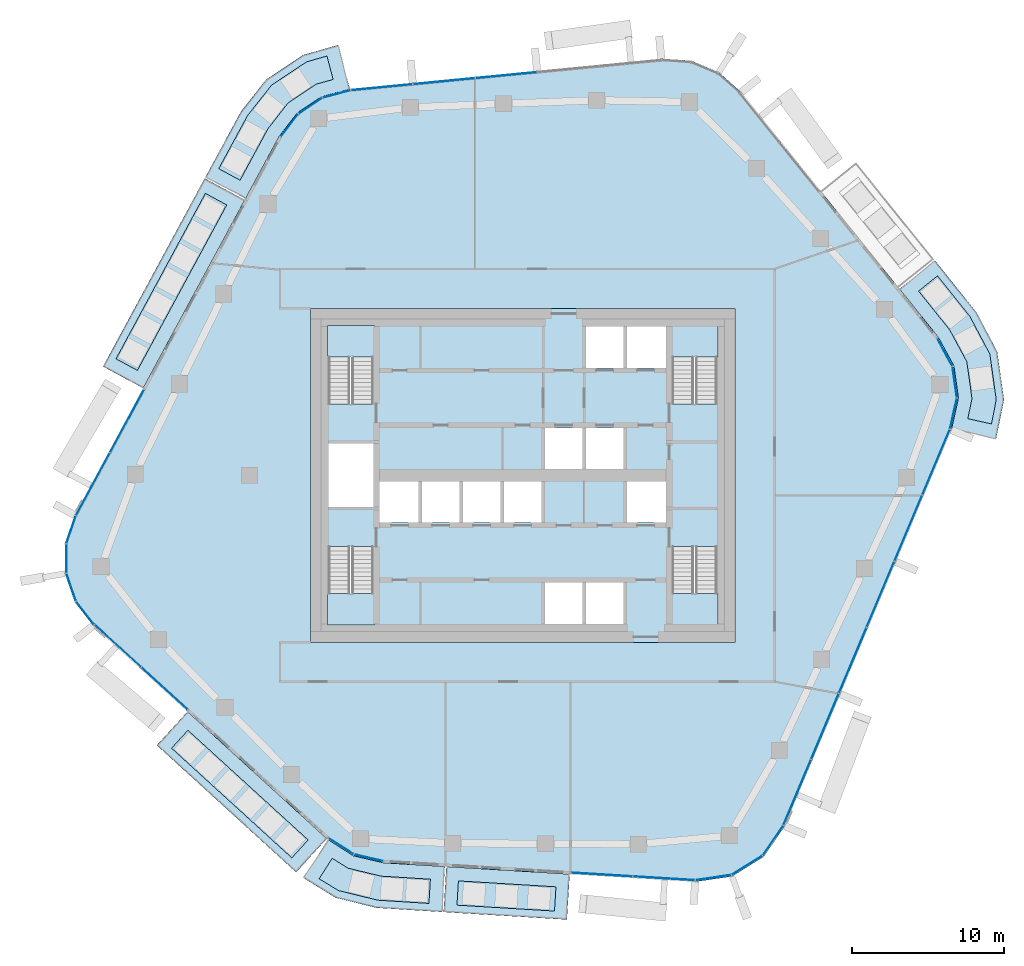
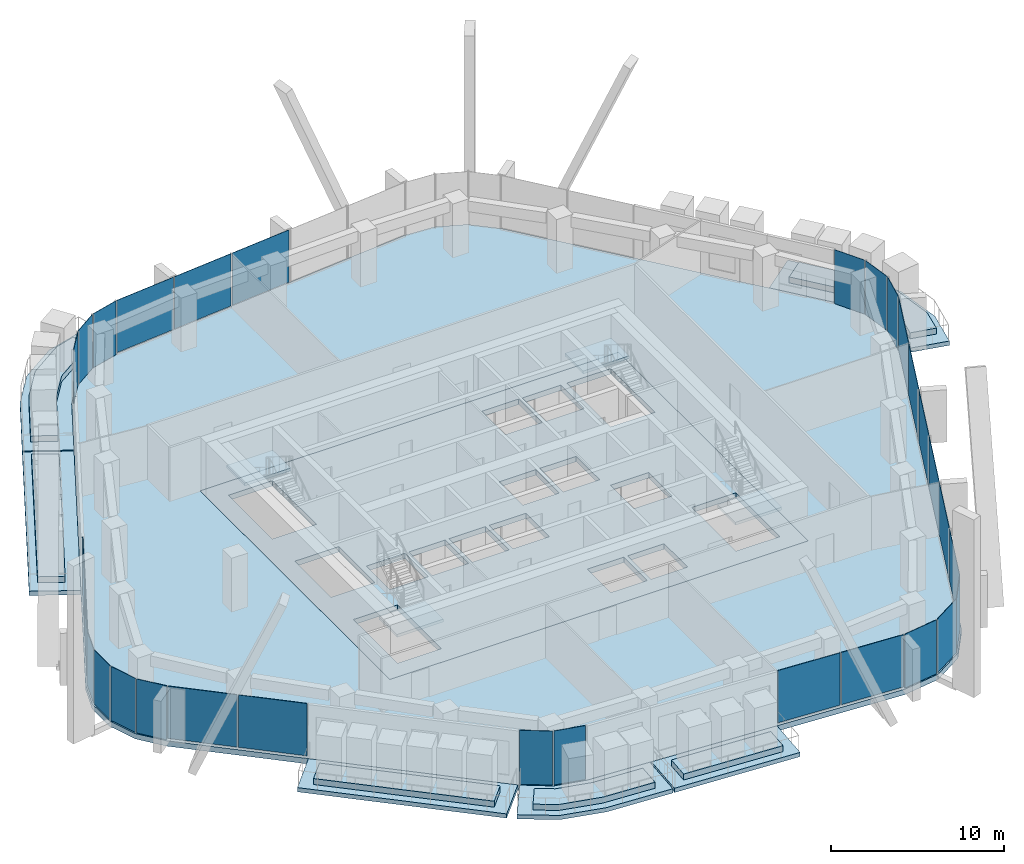
# One storey, part 10 of 20: 30 plates, 18 slabs, 14 elements without a shape of their own.
"""IFC4 building model written with IfcOpenShell, lengths in metres."""

from ifc_helpers import new_model, si_unit, direction, frame, origin, origin_2d, place, context, subcontext, project, spatial, polyline, rectangle, outline, extrude, material, layer, layer_set, type_object, element, aggregate, save


model = new_model("IFC4")

# Units and contexts
model_context = context("Model", 3, precision=1e-05, world=origin(), true_north=direction((0.0, 1.0)))
body_context = subcontext(model_context, "Body", "Model", "MODEL_VIEW")
ifc_project = project(units=[si_unit("LENGTHUNIT", "METRE"), si_unit("AREAUNIT", "SQUARE_METRE"), si_unit("VOLUMEUNIT", "CUBIC_METRE"), si_unit("PLANEANGLEUNIT", "RADIAN"), si_unit("MASSUNIT", "GRAM", prefix="KILO")], contexts=[model_context])

# Site, building, storey
site_placement = place(None, origin())
site = spatial("IfcSite", under=ifc_project, at=site_placement, CompositionType="ELEMENT")
building_placement = place(site_placement, origin())
building = spatial("IfcBuilding", under=site, at=building_placement, Name="Dongbaek Canopy Tower", CompositionType="ELEMENT")
storey_placement = place(building_placement, frame((0.0, 0.0, 253.800048828125)))
storey = spatial("IfcBuildingStorey", under=building, at=storey_placement, Name="L53", CompositionType="ELEMENT", Elevation=253.800048828125)

# Slabs
ifc_material_1 = material(Name="Concrete C40/50", Category="concrete")
ifc_layer_1 = layer(ifc_material_1, 0.300048828125)
ifc_layer_set_1 = layer_set([ifc_layer_1], Name="Balcony slab 300")
slab_type_1 = type_object("IfcSlabType", Name="Balcony slab 300", PredefinedType="FLOOR", material=ifc_layer_set_1)
slab_1_placement = place(storey_placement, frame((0.0, 0.0, -0.300048828125)))
element("IfcSlab", 1, at=slab_1_placement, inside=storey, type_object=slab_type_1, Name="Balcony L53 5", PredefinedType="FLOOR", context=body_context, shape_type="SweptSolid", body=[
    extrude(outline(polyline([(28.25634765625, 3.048583984375), (28.7099609375, 5.08837890625), (28.412109375, 7.20751953125), (27.389404296875, 9.087158203125), (24.8212890625, 12.279052734375), (27.15869140625, 14.15966796875), (29.8857421875, 10.7509765625), (31.2607421875, 8.148193359375), (31.707763671875, 4.9697265625), (31.184814453125, 2.397216796875), (28.25634765625, 3.048583984375)])), origin(), (0.0, 0.0, 1.0), 0.300048828125),
])
slab_2_placement = place(storey_placement, frame((0.0, 0.0, -0.300048828125)))
element("IfcSlab", 2, at=slab_2_placement, inside=storey, type_object=slab_type_1, Name="Balcony L53 2", PredefinedType="FLOOR", context=body_context, shape_type="SweptSolid", body=[
    extrude(outline(polyline([(-18.3154296875, 18.139892578125), (-25.010986328125, 5.742431640625), (-27.650634765625, 7.16796875), (-20.955078125, 19.5654296875), (-18.3154296875, 18.139892578125)])), origin(), (0.0, 0.0, 1.0), 0.300048828125),
])
slab_3_placement = place(storey_placement, frame((0.0, 0.0, -0.300048828125)))
element("IfcSlab", 3, at=slab_3_placement, inside=storey, type_object=slab_type_1, Name="Balcony L53 6", PredefinedType="FLOOR", context=body_context, shape_type="SweptSolid", body=[
    extrude(outline(polyline([(-11.39208984375, 25.45361328125), (-13.2275390625, 24.9658203125), (-14.851318359375, 23.887451171875), (-16.0439453125, 22.345703125), (-18.267822265625, 18.227783203125), (-20.907470703125, 19.653564453125), (-18.55859375, 23.981689453125), (-16.894775390625, 26.083984375), (-14.458740234375, 27.701416015625), (-12.16259765625, 28.35302734375), (-11.39208984375, 25.45361328125)])), origin(), (0.0, 0.0, 1.0), 0.300048828125),
])
slab_4_placement = place(storey_placement, frame((0.0, 0.0, -0.300048828125)))
element("IfcSlab", 4, at=slab_4_placement, inside=storey, type_object=slab_type_1, Name="Balcony L53 3", PredefinedType="FLOOR", context=body_context, shape_type="SweptSolid", body=[
    extrude(outline(polyline([(-22.089111328125, -15.569091796875), (-12.9111328125, -23.940185546875), (-14.9326171875, -26.15673828125), (-24.11083984375, -17.78564453125), (-22.089111328125, -15.569091796875)])), origin(), (0.0, 0.0, 1.0), 0.300048828125),
])
slab_5_placement = place(storey_placement, frame((0.0, 0.0, -0.300048828125)))
element("IfcSlab", 5, at=slab_5_placement, inside=storey, type_object=slab_type_1, Name="Balcony L53 4", PredefinedType="FLOOR", context=body_context, shape_type="SweptSolid", body=[
    extrude(outline(polyline([(-5.033203125, -25.782958984375), (3.091064453125, -26.277587890625), (2.908935546875, -29.27197265625), (-5.215576171875, -28.777587890625), (-5.033203125, -25.782958984375)])), origin(), (0.0, 0.0, 1.0), 0.300048828125),
])
slab_6_placement = place(storey_placement, frame((0.0, 0.0, -0.300048828125)))
element("IfcSlab", 6, at=slab_6_placement, inside=storey, type_object=slab_type_1, Name="Balcony L53 7", PredefinedType="FLOOR", context=body_context, shape_type="SweptSolid", body=[
    extrude(outline(polyline([(-12.83203125, -24.0009765625), (-11.16796875, -25.06689453125), (-9.1953125, -25.52978515625), (-5.133056640625, -25.777099609375), (-5.3154296875, -28.771484375), (-9.630615234375, -28.498046875), (-12.336669921875, -27.830078125), (-14.450439453125, -26.52685546875), (-12.83203125, -24.0009765625)])), origin(), (0.0, 0.0, 1.0), 0.300048828125),
])

# Curtain wall, plates
ifc_material_2 = material(Name="Aluminium 6063-T6 pale anodised", Category="aluminium")
ifc_layer_2 = layer(ifc_material_2, 0.199951171875)
ifc_layer_set_2 = layer_set([ifc_layer_2], Name="CW-1 unitised tower curtain wall")
curtain_wall_type = type_object("IfcCurtainWallType", Name="CW-1 unitised tower curtain wall", PredefinedType="NOTDEFINED", material=ifc_layer_set_2)
curtain_wall_1_placement = place(storey_placement, origin())
curtain_wall_1 = element("IfcCurtainWall", 7, at=curtain_wall_1_placement, inside=storey, type_object=curtain_wall_type, Name="CW-1 curtain wall K0.1", PredefinedType="NOTDEFINED")
ifc_material_3 = material(Name="Clear laminated glass", Category="glass")
ifc_layer_3 = layer(ifc_material_3, 0.028076171875)
ifc_layer_set_3 = layer_set([ifc_layer_3], Name="CW-1 glazed panel 28")
plate_type = type_object("IfcPlateType", Name="CW-1 glazed panel 28", PredefinedType="CURTAIN_PANEL", material=ifc_layer_set_3)
plate_1_placement = place(storey_placement, frame((28.379150390625, 4.061279296875, 0.0), z_axis=(0.0, 0.0, 1.0), x_axis=(0.21711143708, 0.976146824965, 0.0)))
plate_1 = element("IfcPlate", 8, at=plate_1_placement, type_object=plate_type, Name="CW-1 panel K0.1.1.1", PredefinedType="CURTAIN_PANEL", context=body_context, shape_type="SweptSolid", body=[
    extrude(rectangle(XDim=2.02880859375, YDim=0.028076171875, at=origin_2d()), origin(), (0.0, 0.0, 1.0), 3.820068359375),
])
plate_2_placement = place(storey_placement, frame((28.462158203125, 6.134033203125, 0.0), z_axis=(0.0, 0.0, 1.0), x_axis=(-0.139243583955, 0.990258160445, 0.0)))
plate_2 = element("IfcPlate", 9, at=plate_2_placement, type_object=plate_type, Name="CW-1 panel K0.1.2.1", PredefinedType="CURTAIN_PANEL", context=body_context, shape_type="SweptSolid", body=[
    extrude(rectangle(XDim=2.01953125, YDim=0.028076171875, at=origin_2d()), origin(), (0.0, 0.0, 1.0), 3.820068359375),
])
plate_3_placement = place(storey_placement, frame((27.810791015625, 8.103515625, 0.0), z_axis=(0.0, 0.0, 1.0), x_axis=(-0.477888487745, 0.878420510508, 0.0)))
plate_3 = element("IfcPlate", 10, at=plate_3_placement, type_object=plate_type, Name="CW-1 panel K0.1.3.1", PredefinedType="CURTAIN_PANEL", context=body_context, shape_type="SweptSolid", body=[
    extrude(rectangle(XDim=2.02880859375, YDim=0.028076171875, at=origin_2d()), origin(), (0.0, 0.0, 1.0), 3.820068359375),
])
aggregate(curtain_wall_1, [plate_1, plate_2, plate_3])

curtain_wall_2_placement = place(storey_placement, origin())
curtain_wall_2 = element("IfcCurtainWall", 11, at=curtain_wall_2_placement, inside=storey, type_object=curtain_wall_type, Name="CW-1 curtain wall F1.1", PredefinedType="NOTDEFINED")
plate_4_placement = place(storey_placement, frame((-1.093017578125, 26.35986328125, 0.1201171875), z_axis=(0.0, 0.0, 1.0), x_axis=(-0.995332430055, -0.096505718384, 0.0)))
plate_4 = element("IfcPlate", 12, at=plate_4_placement, type_object=plate_type, Name="CW-1 panel F1.1.3.1", PredefinedType="CURTAIN_PANEL", context=body_context, shape_type="SweptSolid", body=[
    extrude(rectangle(XDim=4.031494140625, YDim=0.028076171875, at=origin_2d()), origin(), (0.0, 0.0, 1.0), 3.699951171875),
])
plate_5_placement = place(storey_placement, frame((-5.189453125, 25.962646484375, 0.1201171875), z_axis=(0.0, 0.0, 1.0), x_axis=(-0.995332430055, -0.096505718384, 0.0)))
plate_5 = element("IfcPlate", 13, at=plate_5_placement, type_object=plate_type, Name="CW-1 panel F1.1.4.1", PredefinedType="CURTAIN_PANEL", context=body_context, shape_type="SweptSolid", body=[
    extrude(rectangle(XDim=4.031494140625, YDim=0.028076171875, at=origin_2d()), origin(), (0.0, 0.0, 1.0), 3.699951171875),
])
plate_6_placement = place(storey_placement, frame((-9.28173828125, 25.56591796875, 0.1201171875), z_axis=(0.0, 0.0, 1.0), x_axis=(-0.995332430055, -0.096505718384, 0.0)))
plate_6 = element("IfcPlate", 14, at=plate_6_placement, type_object=plate_type, Name="CW-1 panel F1.1.5.1", PredefinedType="CURTAIN_PANEL", context=body_context, shape_type="SweptSolid", body=[
    extrude(rectangle(XDim=4.0234375, YDim=0.028076171875, at=origin_2d()), origin(), (0.0, 0.0, 1.0), 3.699951171875),
])
aggregate(curtain_wall_2, [plate_4, plate_5, plate_6])

curtain_wall_3_placement = place(storey_placement, origin())
curtain_wall_3 = element("IfcCurtainWall", 15, at=curtain_wall_3_placement, inside=storey, type_object=curtain_wall_type, Name="CW-1 curtain wall K2.1", PredefinedType="NOTDEFINED")
plate_7_placement = place(storey_placement, frame((-12.255859375, 25.12060546875, 0.0), z_axis=(0.0, 0.0, 1.0), x_axis=(-0.966437778998, -0.25690079666, 0.0)))
plate_7 = element("IfcPlate", 16, at=plate_7_placement, type_object=plate_type, Name="CW-1 panel K2.1.1.1", PredefinedType="CURTAIN_PANEL", context=body_context, shape_type="SweptSolid", body=[
    extrude(rectangle(XDim=1.840576171875, YDim=0.028076171875, at=origin_2d()), origin(), (0.0, 0.0, 1.0), 3.820068359375),
])
plate_8_placement = place(storey_placement, frame((-13.984130859375, 24.34326171875, 0.0), z_axis=(0.0, 0.0, 1.0), x_axis=(-0.833087736407, -0.553140871251, 0.0)))
plate_8 = element("IfcPlate", 17, at=plate_8_placement, type_object=plate_type, Name="CW-1 panel K2.1.2.1", PredefinedType="CURTAIN_PANEL", context=body_context, shape_type="SweptSolid", body=[
    extrude(rectangle(XDim=1.832275390625, YDim=0.028076171875, at=origin_2d()), origin(), (0.0, 0.0, 1.0), 3.820068359375),
])
plate_9_placement = place(storey_placement, frame((-15.37109375, 23.05224609375, 0.0), z_axis=(0.0, 0.0, 1.0), x_axis=(-0.611813267825, -0.791002228387, 0.0)))
plate_9 = element("IfcPlate", 18, at=plate_9_placement, type_object=plate_type, Name="CW-1 panel K2.1.3.1", PredefinedType="CURTAIN_PANEL", context=body_context, shape_type="SweptSolid", body=[
    extrude(rectangle(XDim=1.840576171875, YDim=0.028076171875, at=origin_2d()), origin(), (0.0, 0.0, 1.0), 3.820068359375),
])
aggregate(curtain_wall_3, [plate_7, plate_8, plate_9])

curtain_wall_4_placement = place(storey_placement, origin())
curtain_wall_4 = element("IfcCurtainWall", 19, at=curtain_wall_4_placement, inside=storey, type_object=curtain_wall_type, Name="CW-1 curtain wall F2.1", PredefinedType="NOTDEFINED")
plate_10_placement = place(storey_placement, frame((-26.070556640625, 3.56982421875, 0.1201171875), z_axis=(0.0, 0.0, 1.0), x_axis=(-0.475201548938, -0.879876973154, 0.0)))
plate_10 = element("IfcPlate", 20, at=plate_10_placement, type_object=plate_type, Name="CW-1 panel F2.1.1.1", PredefinedType="CURTAIN_PANEL", context=body_context, shape_type="SweptSolid", body=[
    extrude(rectangle(XDim=4.64599609375, YDim=0.028076171875, at=origin_2d()), origin(), (0.0, 0.0, 1.0), 3.699951171875),
])
plate_11_placement = place(storey_placement, frame((-28.31640625, -0.58837890625, 0.1201171875), z_axis=(0.0, 0.0, 1.0), x_axis=(-0.475201548938, -0.879876973154, 0.0)))
plate_11 = element("IfcPlate", 21, at=plate_11_placement, type_object=plate_type, Name="CW-1 panel F2.1.2.1", PredefinedType="CURTAIN_PANEL", context=body_context, shape_type="SweptSolid", body=[
    extrude(rectangle(XDim=4.6376953125, YDim=0.028076171875, at=origin_2d()), origin(), (0.0, 0.0, 1.0), 3.699951171875),
])
aggregate(curtain_wall_4, [plate_10, plate_11])

curtain_wall_5_placement = place(storey_placement, origin())
curtain_wall_5 = element("IfcCurtainWall", 22, at=curtain_wall_5_placement, inside=storey, type_object=curtain_wall_type, Name="CW-1 curtain wall K3.1", PredefinedType="NOTDEFINED")
plate_12_placement = place(storey_placement, frame((-29.754638671875, -3.5908203125, 0.0), z_axis=(0.0, 0.0, 1.0), x_axis=(-0.323451939062, -0.946244600046, 0.0)))
plate_12 = element("IfcPlate", 23, at=plate_12_placement, type_object=plate_type, Name="CW-1 panel K3.1.1.1", PredefinedType="CURTAIN_PANEL", context=body_context, shape_type="SweptSolid", body=[
    extrude(rectangle(XDim=1.87158203125, YDim=0.028076171875, at=origin_2d()), origin(), (0.0, 0.0, 1.0), 3.820068359375),
])
plate_13_placement = place(storey_placement, frame((-30.068603515625, -5.48974609375, 0.0), z_axis=(0.0, 0.0, 1.0), x_axis=(0.002260369172, -0.999997445362, 0.0)))
plate_13 = element("IfcPlate", 24, at=plate_13_placement, type_object=plate_type, Name="CW-1 panel K3.1.2.1", PredefinedType="CURTAIN_PANEL", context=body_context, shape_type="SweptSolid", body=[
    extrude(rectangle(XDim=1.86328125, YDim=0.028076171875, at=origin_2d()), origin(), (0.0, 0.0, 1.0), 3.820068359375),
])
plate_14_placement = place(storey_placement, frame((-29.747314453125, -7.38330078125, 0.0), z_axis=(0.0, 0.0, 1.0), x_axis=(0.327726347192, -0.944772692957, 0.0)))
plate_14 = element("IfcPlate", 25, at=plate_14_placement, type_object=plate_type, Name="CW-1 panel K3.1.3.1", PredefinedType="CURTAIN_PANEL", context=body_context, shape_type="SweptSolid", body=[
    extrude(rectangle(XDim=1.86328125, YDim=0.028076171875, at=origin_2d()), origin(), (0.0, 0.0, 1.0), 3.820068359375),
])
plate_15_placement = place(storey_placement, frame((-28.824462890625, -9.072265625, 0.0), z_axis=(0.0, 0.0, 1.0), x_axis=(0.61747740393, -0.786588619061, 0.0)))
plate_15 = element("IfcPlate", 26, at=plate_15_placement, type_object=plate_type, Name="CW-1 panel K3.1.4.1", PredefinedType="CURTAIN_PANEL", context=body_context, shape_type="SweptSolid", body=[
    extrude(rectangle(XDim=1.87158203125, YDim=0.028076171875, at=origin_2d()), origin(), (0.0, 0.0, 1.0), 3.820068359375),
])
aggregate(curtain_wall_5, [plate_12, plate_13, plate_14, plate_15])

curtain_wall_6_placement = place(storey_placement, origin())
curtain_wall_6 = element("IfcCurtainWall", 27, at=curtain_wall_6_placement, inside=storey, type_object=curtain_wall_type, Name="CW-1 curtain wall F3.1", PredefinedType="NOTDEFINED")
plate_16_placement = place(storey_placement, frame((-26.681640625, -11.244873046875, 0.1201171875), z_axis=(0.0, 0.0, 1.0), x_axis=(0.738841417028, -0.673879336739, 0.0)))
plate_16 = element("IfcPlate", 28, at=plate_16_placement, type_object=plate_type, Name="CW-1 panel F3.1.1.1", PredefinedType="CURTAIN_PANEL", context=body_context, shape_type="SweptSolid", body=[
    extrude(rectangle(XDim=4.081787109375, YDim=0.028076171875, at=origin_2d()), origin(), (0.0, 0.0, 1.0), 3.699951171875),
])
plate_17_placement = place(storey_placement, frame((-23.600830078125, -14.054931640625, 0.1201171875), z_axis=(0.0, 0.0, 1.0), x_axis=(0.738841417028, -0.673879336739, 0.0)))
plate_17 = element("IfcPlate", 29, at=plate_17_placement, type_object=plate_type, Name="CW-1 panel F3.1.2.1", PredefinedType="CURTAIN_PANEL", context=body_context, shape_type="SweptSolid", body=[
    extrude(rectangle(XDim=4.090087890625, YDim=0.028076171875, at=origin_2d()), origin(), (0.0, 0.0, 1.0), 3.699951171875),
])
aggregate(curtain_wall_6, [plate_16, plate_17])

curtain_wall_7_placement = place(storey_placement, origin())
curtain_wall_7 = element("IfcCurtainWall", 30, at=curtain_wall_7_placement, inside=storey, type_object=curtain_wall_type, Name="CW-1 curtain wall K4.1", PredefinedType="NOTDEFINED")
plate_18_placement = place(storey_placement, frame((-11.970703125, -24.433837890625, 0.0), z_axis=(0.0, 0.0, 1.0), x_axis=(0.842019108393, -0.539447700061, 0.0)))
plate_18 = element("IfcPlate", 31, at=plate_18_placement, type_object=plate_type, Name="CW-1 panel K4.1.1.1", PredefinedType="CURTAIN_PANEL", context=body_context, shape_type="SweptSolid", body=[
    extrude(rectangle(XDim=1.91650390625, YDim=0.028076171875, at=origin_2d()), origin(), (0.0, 0.0, 1.0), 3.820068359375),
])
plate_19_placement = place(storey_placement, frame((-10.154541015625, -25.201904296875, 0.0), z_axis=(0.0, 0.0, 1.0), x_axis=(0.973563840907, -0.228415077607, 0.0)))
plate_19 = element("IfcPlate", 32, at=plate_19_placement, type_object=plate_type, Name="CW-1 panel K4.1.2.1", PredefinedType="CURTAIN_PANEL", context=body_context, shape_type="SweptSolid", body=[
    extrude(rectangle(XDim=1.91650390625, YDim=0.028076171875, at=origin_2d()), origin(), (0.0, 0.0, 1.0), 3.820068359375),
])
aggregate(curtain_wall_7, [plate_18, plate_19])

curtain_wall_8_placement = place(storey_placement, origin())
curtain_wall_8 = element("IfcCurtainWall", 33, at=curtain_wall_8_placement, inside=storey, type_object=curtain_wall_type, Name="CW-1 curtain wall F4.1", PredefinedType="NOTDEFINED")
plate_20_placement = place(storey_placement, frame((5.203125, -26.305908203125, 0.1201171875), z_axis=(0.0, 0.0, 1.0), x_axis=(0.998153246078, -0.060746171441, 0.0)))
plate_20 = element("IfcPlate", 34, at=plate_20_placement, type_object=plate_type, Name="CW-1 panel F4.1.1.1", PredefinedType="CURTAIN_PANEL", context=body_context, shape_type="SweptSolid", body=[
    extrude(rectangle(XDim=4.03564453125, YDim=0.028076171875, at=origin_2d()), origin(), (0.0, 0.0, 1.0), 3.699951171875),
])
plate_21_placement = place(storey_placement, frame((9.31005859375, -26.555908203125, 0.1201171875), z_axis=(0.0, 0.0, 1.0), x_axis=(0.998153246078, -0.060746171441, 0.0)))
plate_21 = element("IfcPlate", 35, at=plate_21_placement, type_object=plate_type, Name="CW-1 panel F4.1.2.1", PredefinedType="CURTAIN_PANEL", context=body_context, shape_type="SweptSolid", body=[
    extrude(rectangle(XDim=4.025390625, YDim=0.028076171875, at=origin_2d()), origin(), (0.0, 0.0, 1.0), 3.699951171875),
])
aggregate(curtain_wall_8, [plate_20, plate_21])

curtain_wall_9_placement = place(storey_placement, origin())
curtain_wall_9 = element("IfcCurtainWall", 36, at=curtain_wall_9_placement, inside=storey, type_object=curtain_wall_type, Name="CW-1 curtain wall K5.1", PredefinedType="NOTDEFINED")
plate_22_placement = place(storey_placement, frame((12.5576171875, -26.506103515625, 0.0), z_axis=(0.0, 0.0, 1.0), x_axis=(0.989536033026, 0.144285963776, 0.0)))
plate_22 = element("IfcPlate", 37, at=plate_22_placement, type_object=plate_type, Name="CW-1 panel K5.1.1.1", PredefinedType="CURTAIN_PANEL", context=body_context, shape_type="SweptSolid", body=[
    extrude(rectangle(XDim=2.33447265625, YDim=0.028076171875, at=origin_2d()), origin(), (0.0, 0.0, 1.0), 3.820068359375),
])
plate_23_placement = place(storey_placement, frame((14.77685546875, -25.6962890625, 0.0), z_axis=(0.0, 0.0, 1.0), x_axis=(0.849404089136, 0.527743018296, 0.0)))
plate_23 = element("IfcPlate", 38, at=plate_23_placement, type_object=plate_type, Name="CW-1 panel K5.1.2.1", PredefinedType="CURTAIN_PANEL", context=body_context, shape_type="SweptSolid", body=[
    extrude(rectangle(XDim=2.323974609375, YDim=0.028076171875, at=origin_2d()), origin(), (0.0, 0.0, 1.0), 3.820068359375),
])
plate_24_placement = place(storey_placement, frame((16.48583984375, -24.0654296875, 0.0), z_axis=(0.0, 0.0, 1.0), x_axis=(0.567696636257, 0.823237832697, 0.0)))
plate_24 = element("IfcPlate", 39, at=plate_24_placement, type_object=plate_type, Name="CW-1 panel K5.1.3.1", PredefinedType="CURTAIN_PANEL", context=body_context, shape_type="SweptSolid", body=[
    extrude(rectangle(XDim=2.33447265625, YDim=0.028076171875, at=origin_2d()), origin(), (0.0, 0.0, 1.0), 3.820068359375),
])
aggregate(curtain_wall_9, [plate_22, plate_23, plate_24])

curtain_wall_10_placement = place(storey_placement, origin())
curtain_wall_10 = element("IfcCurtainWall", 40, at=curtain_wall_10_placement, inside=storey, type_object=curtain_wall_type, Name="CW-1 curtain wall F5.1", PredefinedType="NOTDEFINED")
plate_25_placement = place(storey_placement, frame((18.085693359375, -20.898193359375, 0.1201171875), z_axis=(0.0, 0.0, 1.0), x_axis=(0.387695530662, 0.92178748934, 0.0)))
plate_25 = element("IfcPlate", 41, at=plate_25_placement, type_object=plate_type, Name="CW-1 panel F5.1.1.1", PredefinedType="CURTAIN_PANEL", context=body_context, shape_type="SweptSolid", body=[
    extrude(rectangle(XDim=4.6279296875, YDim=0.028076171875, at=origin_2d()), origin(), (0.0, 0.0, 1.0), 3.699951171875),
])
plate_26_placement = place(storey_placement, frame((19.91455078125, -16.550048828125, 0.1201171875), z_axis=(0.0, 0.0, 1.0), x_axis=(0.387695530662, 0.92178748934, 0.0)))
plate_26 = element("IfcPlate", 42, at=plate_26_placement, type_object=plate_type, Name="CW-1 panel F5.1.2.1", PredefinedType="CURTAIN_PANEL", context=body_context, shape_type="SweptSolid", body=[
    extrude(rectangle(XDim=4.638427734375, YDim=0.028076171875, at=origin_2d()), origin(), (0.0, 0.0, 1.0), 3.699951171875),
])
plate_27_placement = place(storey_placement, frame((21.745361328125, -12.197021484375, 0.1201171875), z_axis=(0.0, 0.0, 1.0), x_axis=(0.387695530662, 0.92178748934, 0.0)))
plate_27 = element("IfcPlate", 43, at=plate_27_placement, type_object=plate_type, Name="CW-1 panel F5.1.3.1", PredefinedType="CURTAIN_PANEL", context=body_context, shape_type="SweptSolid", body=[
    extrude(rectangle(XDim=4.638427734375, YDim=0.028076171875, at=origin_2d()), origin(), (0.0, 0.0, 1.0), 3.699951171875),
])
plate_28_placement = place(storey_placement, frame((23.576171875, -7.843994140625, 0.1201171875), z_axis=(0.0, 0.0, 1.0), x_axis=(0.387695530662, 0.92178748934, 0.0)))
plate_28 = element("IfcPlate", 44, at=plate_28_placement, type_object=plate_type, Name="CW-1 panel F5.1.4.1", PredefinedType="CURTAIN_PANEL", context=body_context, shape_type="SweptSolid", body=[
    extrude(rectangle(XDim=4.638427734375, YDim=0.028076171875, at=origin_2d()), origin(), (0.0, 0.0, 1.0), 3.699951171875),
])
plate_29_placement = place(storey_placement, frame((25.406982421875, -3.490966796875, 0.1201171875), z_axis=(0.0, 0.0, 1.0), x_axis=(0.387695530662, 0.92178748934, 0.0)))
plate_29 = element("IfcPlate", 45, at=plate_29_placement, type_object=plate_type, Name="CW-1 panel F5.1.5.1", PredefinedType="CURTAIN_PANEL", context=body_context, shape_type="SweptSolid", body=[
    extrude(rectangle(XDim=4.638427734375, YDim=0.028076171875, at=origin_2d()), origin(), (0.0, 0.0, 1.0), 3.699951171875),
])
plate_30_placement = place(storey_placement, frame((27.236083984375, 0.85791015625, 0.1201171875), z_axis=(0.0, 0.0, 1.0), x_axis=(0.387695530662, 0.92178748934, 0.0)))
plate_30 = element("IfcPlate", 46, at=plate_30_placement, type_object=plate_type, Name="CW-1 panel F5.1.6.1", PredefinedType="CURTAIN_PANEL", context=body_context, shape_type="SweptSolid", body=[
    extrude(rectangle(XDim=4.62939453125, YDim=0.028076171875, at=origin_2d()), origin(), (0.0, 0.0, 1.0), 3.699951171875),
])
aggregate(curtain_wall_10, [plate_25, plate_26, plate_27, plate_28, plate_29, plate_30])

# Slab
ifc_material_4 = material(Name="Concrete C40/50", Category="concrete")
ifc_layer_4 = layer(ifc_material_4, 0.3798828125)
ifc_layer_set_4 = layer_set([ifc_layer_4], Name="Core floor slab 380 Concrete C40/50")
slab_type_2 = type_object("IfcSlabType", Name="Core floor slab 380 Concrete C40/50", PredefinedType="FLOOR", material=ifc_layer_set_4)
slab_7_placement = place(storey_placement, frame((0.0, 0.0, -0.380126953125)))
element("IfcSlab", 47, at=slab_7_placement, inside=storey, type_object=slab_type_2, Name="Core floor slab L53", PredefinedType="FLOOR", context=body_context, shape_type="SweptSolid", body=[
    extrude(outline(polyline([(14.0, -11.0), (14.0, 11.0), (-14.0, 11.0), (-14.0, -11.0), (14.0, -11.0)]), holes=[polyline([(-12.800048828125, 2.10009765625), (-9.85009765625, 2.10009765625), (-9.85009765625, -2.10009765625), (-12.800048828125, -2.10009765625), (-12.800048828125, 2.10009765625)]), polyline([(6.625, 9.800048828125), (6.625, 7.074951171875), (4.175048828125, 7.074951171875), (4.175048828125, 9.800048828125), (6.625, 9.800048828125)]), polyline([(9.449951171875, 7.074951171875), (6.875, 7.074951171875), (6.875, 9.800048828125), (9.449951171875, 9.800048828125), (9.449951171875, 7.074951171875)]), polyline([(1.47509765625, 0.39990234375), (1.47509765625, 3.125), (3.925048828125, 3.125), (3.925048828125, 0.39990234375), (1.47509765625, 0.39990234375)]), polyline([(4.175048828125, 0.39990234375), (4.175048828125, 3.125), (6.625, 3.125), (6.625, 0.39990234375), (4.175048828125, 0.39990234375)]), polyline([(-9.449951171875, -0.39990234375), (-6.875, -0.39990234375), (-6.875, -3.125), (-9.449951171875, -3.125), (-9.449951171875, -0.39990234375)]), polyline([(-6.625, -3.125), (-6.625, -0.39990234375), (-4.175048828125, -0.39990234375), (-4.175048828125, -3.125), (-6.625, -3.125)]), polyline([(-3.925048828125, -3.125), (-3.925048828125, -0.39990234375), (-1.47509765625, -0.39990234375), (-1.47509765625, -3.125), (-3.925048828125, -3.125)]), polyline([(-1.22509765625, -3.125), (-1.22509765625, -0.39990234375), (1.22509765625, -0.39990234375), (1.22509765625, -3.125), (-1.22509765625, -3.125)]), polyline([(9.449951171875, -3.125), (6.875, -3.125), (6.875, -0.39990234375), (9.449951171875, -0.39990234375), (9.449951171875, -3.125)]), polyline([(1.47509765625, -9.800048828125), (1.47509765625, -7.074951171875), (3.925048828125, -7.074951171875), (3.925048828125, -9.800048828125), (1.47509765625, -9.800048828125)]), polyline([(4.175048828125, -9.800048828125), (4.175048828125, -7.074951171875), (6.625, -7.074951171875), (6.625, -9.800048828125), (4.175048828125, -9.800048828125)]), polyline([(12.800048828125, 4.70068359375), (12.800048828125, 9.800048828125), (9.85009765625, 9.800048828125), (9.85009765625, 4.70068359375), (12.800048828125, 4.70068359375)]), polyline([(-9.85009765625, 4.70068359375), (-9.85009765625, 9.800048828125), (-12.800048828125, 9.800048828125), (-12.800048828125, 4.70068359375), (-9.85009765625, 4.70068359375)]), polyline([(9.85009765625, -4.70068359375), (9.85009765625, -9.800048828125), (12.800048828125, -9.800048828125), (12.800048828125, -4.70068359375), (9.85009765625, -4.70068359375)]), polyline([(-12.800048828125, -4.70068359375), (-12.800048828125, -9.800048828125), (-9.85009765625, -9.800048828125), (-9.85009765625, -4.70068359375), (-12.800048828125, -4.70068359375)])]), origin(), (0.0, 0.0, 1.0), 0.380126953125),
])

# Stair, slab
ifc_material_5 = material(Name="Concrete C40/50", Category="concrete")
stair_type = type_object("IfcStairType", Name="Core exit stair", PredefinedType="HALF_TURN_STAIR", material=ifc_material_5)
stair_1_placement = place(storey_placement, origin())
stair_1 = element("IfcStair", 48, at=stair_1_placement, inside=storey, type_object=stair_type, Name="L53 exit stair A", PredefinedType="HALF_TURN_STAIR")
ifc_material_6 = material(Name="Concrete C40/50", Category="concrete")
ifc_layer_5 = layer(ifc_material_6, 0.199951171875)
ifc_layer_set_5 = layer_set([ifc_layer_5], Name="Core stair landing 200")
slab_type_3 = type_object("IfcSlabType", Name="Core stair landing 200", PredefinedType="LANDING", material=ifc_layer_set_5)
slab_8_placement = place(storey_placement, frame((0.0, 0.0, 1.89990234375)))
slab_8 = element("IfcSlab", 49, at=slab_8_placement, type_object=slab_type_3, Name="ST-A landing 1", PredefinedType="LANDING", context=body_context, shape_type="SweptSolid", body=[
    extrude(outline(polyline([(12.875, 7.780029296875), (12.875, 9.875), (9.77490234375, 9.875), (9.77490234375, 7.780029296875), (12.875, 7.780029296875)])), origin(), (0.0, 0.0, 1.0), 0.199951171875),
])
aggregate(stair_1, [slab_8])

stair_2_placement = place(storey_placement, origin())
stair_2 = element("IfcStair", 50, at=stair_2_placement, inside=storey, type_object=stair_type, Name="L53 exit stair C", PredefinedType="HALF_TURN_STAIR")
slab_9_placement = place(storey_placement, frame((0.0, 0.0, 1.89990234375)))
slab_9 = element("IfcSlab", 51, at=slab_9_placement, type_object=slab_type_3, Name="ST-C landing 1", PredefinedType="LANDING", context=body_context, shape_type="SweptSolid", body=[
    extrude(outline(polyline([(-9.77490234375, 7.780029296875), (-9.77490234375, 9.875), (-12.875, 9.875), (-12.875, 7.780029296875), (-9.77490234375, 7.780029296875)])), origin(), (0.0, 0.0, 1.0), 0.199951171875),
])
aggregate(stair_2, [slab_9])

stair_3_placement = place(storey_placement, origin())
stair_3 = element("IfcStair", 52, at=stair_3_placement, inside=storey, type_object=stair_type, Name="L53 exit stair B", PredefinedType="HALF_TURN_STAIR")
slab_10_placement = place(storey_placement, frame((0.0, 0.0, 1.89990234375)))
slab_10 = element("IfcSlab", 53, at=slab_10_placement, type_object=slab_type_3, Name="ST-B landing 1", PredefinedType="LANDING", context=body_context, shape_type="SweptSolid", body=[
    extrude(outline(polyline([(9.77490234375, -7.780029296875), (9.77490234375, -9.875), (12.875, -9.875), (12.875, -7.780029296875), (9.77490234375, -7.780029296875)])), origin(), (0.0, 0.0, 1.0), 0.199951171875),
])
aggregate(stair_3, [slab_10])

stair_4_placement = place(storey_placement, origin())
stair_4 = element("IfcStair", 54, at=stair_4_placement, inside=storey, type_object=stair_type, Name="L53 exit stair D", PredefinedType="HALF_TURN_STAIR")
slab_11_placement = place(storey_placement, frame((0.0, 0.0, 1.89990234375)))
slab_11 = element("IfcSlab", 55, at=slab_11_placement, type_object=slab_type_3, Name="ST-D landing 1", PredefinedType="LANDING", context=body_context, shape_type="SweptSolid", body=[
    extrude(outline(polyline([(-12.875, -7.780029296875), (-12.875, -9.875), (-9.77490234375, -9.875), (-9.77490234375, -7.780029296875), (-12.875, -7.780029296875)])), origin(), (0.0, 0.0, 1.0), 0.199951171875),
])
aggregate(stair_4, [slab_11])

# Slabs
ifc_material_7 = material(Name="Concrete C40", Category="concrete")
ifc_layer_6 = layer(ifc_material_7, 0.3798828125)
ifc_layer_set_6 = layer_set([ifc_layer_6], Name="RC FLAT PLATE 380 Concrete C40")
slab_type_4 = type_object("IfcSlabType", Name="RC FLAT PLATE 380 Concrete C40", PredefinedType="FLOOR", material=ifc_layer_set_6)
slab_12_placement = place(storey_placement, frame((0.0, 0.0, -0.380126953125)))
element("IfcSlab", 56, at=slab_12_placement, inside=storey, type_object=slab_type_4, Name="SLAB:L53", PredefinedType="FLOOR", context=body_context, shape_type="SweptSolid", body=[
    extrude(outline(polyline([(17.260498046875, -23.118408203125), (15.869873046875, -25.135009765625), (13.789306640625, -26.427490234375), (11.365234375, -26.781005859375), (-9.1953125, -25.52978515625), (-11.16796875, -25.06689453125), (-12.8740234375, -23.973876953125), (-28.294189453125, -9.90966796875), (-29.51708984375, -8.3515625), (-30.16650390625, -6.480224609375), (-30.1708984375, -4.49951171875), (-29.5302734375, -2.62548828125), (-16.0439453125, 22.345703125), (-14.851318359375, 23.887451171875), (-13.227294921875, 24.9658203125), (-11.343505859375, 25.466552734375), (9.13818359375, 27.452392578125), (11.1044921875, 27.31787109375), (12.921142578125, 26.553466796875), (14.39208984375, 25.24169921875), (27.389404296875, 9.087158203125), (28.412109375, 7.20751953125), (28.7099609375, 5.08837890625), (28.24560546875, 2.999755859375), (17.260498046875, -23.118408203125)]), holes=[polyline([(14.0, 11.0), (-14.0, 11.0), (-14.0, -11.0), (14.0, -11.0), (14.0, 11.0)])]), origin(), (0.0, 0.0, 1.0), 0.380126953125),
])
ifc_material_8 = material(Name="Reinforced concrete C40/50 planter box with soil", Category="concrete")
ifc_layer_7 = layer(ifc_material_8, 0.419921875)
ifc_layer_set_7 = layer_set([ifc_layer_7], Name="Terrace planter box 1600 x 420")
slab_type_5 = type_object("IfcSlabType", Name="Terrace planter box 1600 x 420", PredefinedType="USERDEFINED", material=ifc_layer_set_7)
slab_13_placement = place(storey_placement, origin())
element("IfcSlab", 57, at=slab_13_placement, inside=storey, type_object=slab_type_5, Name="Balcony planter L53 5", ObjectType="PLANTER", PredefinedType="USERDEFINED", context=body_context, shape_type="SweptSolid", body=[
    extrude(outline(polyline([(29.320556640625, 3.73388671875), (29.599365234375, 5.05322265625), (29.257080078125, 7.486572265625), (28.130126953125, 9.58056640625), (26.078857421875, 12.1357421875), (27.325439453125, 13.138671875), (29.46142578125, 10.468017578125), (30.7763671875, 7.98828125), (31.197998046875, 4.989990234375), (30.88232421875, 3.386474609375), (29.320556640625, 3.73388671875)])), origin(), (0.0, 0.0, 1.0), 0.419921875),
])
slab_14_placement = place(storey_placement, origin())
element("IfcSlab", 58, at=slab_14_placement, inside=storey, type_object=slab_type_5, Name="Balcony planter L53 2", ObjectType="PLANTER", PredefinedType="USERDEFINED", context=body_context, shape_type="SweptSolid", body=[
    extrude(outline(polyline([(-19.50244140625, 17.81494140625), (-25.39013671875, 6.9130859375), (-26.7978515625, 7.673583984375), (-20.91015625, 18.5751953125), (-19.50244140625, 17.81494140625)])), origin(), (0.0, 0.0, 1.0), 0.419921875),
])
slab_15_placement = place(storey_placement, origin())
element("IfcSlab", 59, at=slab_15_placement, inside=storey, type_object=slab_type_5, Name="Balcony planter L53 6", ObjectType="PLANTER", PredefinedType="USERDEFINED", context=body_context, shape_type="SweptSolid", body=[
    extrude(outline(polyline([(-12.490478515625, 26.08251953125), (-13.5927734375, 25.77734375), (-15.45751953125, 24.5390625), (-16.789794921875, 22.8310546875), (-18.623291015625, 19.442626953125), (-20.031005859375, 20.202880859375), (-18.131103515625, 23.70361328125), (-16.54736328125, 25.710693359375), (-14.24951171875, 27.236328125), (-12.9013671875, 27.62890625), (-12.490478515625, 26.08251953125)])), origin(), (0.0, 0.0, 1.0), 0.419921875),
])
slab_16_placement = place(storey_placement, origin())
element("IfcSlab", 60, at=slab_16_placement, inside=storey, type_object=slab_type_5, Name="Balcony planter L53 3", ObjectType="PLANTER", PredefinedType="USERDEFINED", context=body_context, shape_type="SweptSolid", body=[
    extrude(outline(polyline([(-22.06103515625, -16.79931640625), (-14.138916015625, -24.02490234375), (-15.217041015625, -25.20703125), (-23.13916015625, -17.9814453125), (-22.06103515625, -16.79931640625)])), origin(), (0.0, 0.0, 1.0), 0.419921875),
])
slab_17_placement = place(storey_placement, origin())
element("IfcSlab", 61, at=slab_17_placement, inside=storey, type_object=slab_type_5, Name="Balcony planter L53 4", ObjectType="PLANTER", PredefinedType="USERDEFINED", context=body_context, shape_type="SweptSolid", body=[
    extrude(outline(polyline([(-4.239013671875, -26.72314453125), (2.188720703125, -27.1142578125), (2.09130859375, -28.711181640625), (-4.336181640625, -28.320068359375), (-4.239013671875, -26.72314453125)])), origin(), (0.0, 0.0, 1.0), 0.419921875),
])
slab_18_placement = place(storey_placement, origin())
element("IfcSlab", 62, at=slab_18_placement, inside=storey, type_object=slab_type_5, Name="Balcony planter L53 7", ObjectType="PLANTER", PredefinedType="USERDEFINED", context=body_context, shape_type="SweptSolid", body=[
    extrude(outline(polyline([(-12.55419921875, -25.23583984375), (-11.5146484375, -25.88671875), (-9.324462890625, -26.410400390625), (-6.08544921875, -26.610595703125), (-6.1826171875, -28.207763671875), (-9.556640625, -27.993408203125), (-12.137939453125, -27.3603515625), (-13.41748046875, -26.5830078125), (-12.55419921875, -25.23583984375)])), origin(), (0.0, 0.0, 1.0), 0.419921875),
])

save(model, "model.ifc")
